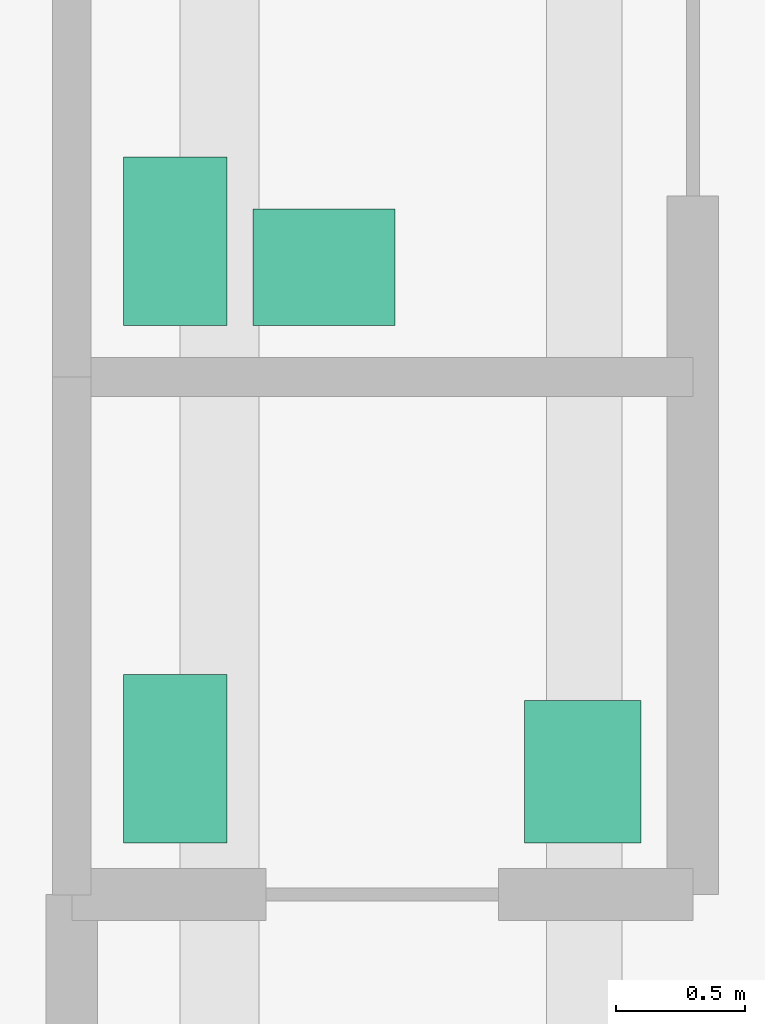
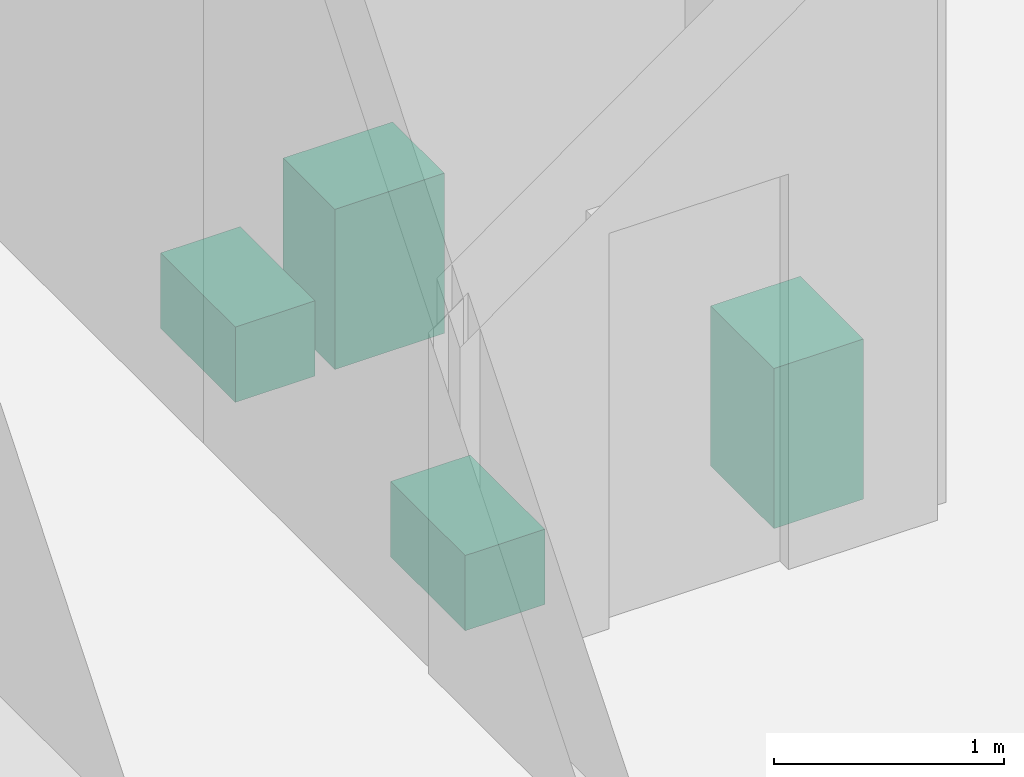
# One storey, part 10 of 10: 4 sanitary terminals.
"""IFC4 building model written with IfcOpenShell, lengths in metres."""

from ifc_helpers import new_model, si_unit, direction, frame, origin, origin_2d, place, context, subcontext, project, spatial, rectangle, extrude, material, type_object, element, save


model = new_model("IFC4")

# Units and contexts
model_context = context("Model", 3, precision=1e-05, world=origin(), true_north=direction((0.0, 1.0)))
body_context = subcontext(model_context, "Body", "Model", "MODEL_VIEW")
ifc_project = project(units=[si_unit("LENGTHUNIT", "METRE"), si_unit("AREAUNIT", "SQUARE_METRE"), si_unit("VOLUMEUNIT", "CUBIC_METRE"), si_unit("PLANEANGLEUNIT", "RADIAN"), si_unit("MASSUNIT", "GRAM", prefix="KILO")], contexts=[model_context])

# Site, building, storey
site_placement = place(None, origin())
site = spatial("IfcSite", under=ifc_project, at=site_placement, CompositionType="ELEMENT")
building_placement = place(site_placement, origin())
building = spatial("IfcBuilding", under=site, at=building_placement, Name="Mashrafa Tower", CompositionType="ELEMENT")
storey_placement = place(building_placement, frame((0.0, 0.0, 108.89990234375)))
storey = spatial("IfcBuildingStorey", under=building, at=storey_placement, Name="L24", CompositionType="ELEMENT", Elevation=108.89990234375)

# Sanitary terminals
ifc_material_1 = material(Name="Vitreous china")
sanitary_terminal_type_1 = type_object("IfcSanitaryTerminalType", Name="Toilet pan 400 x 650", PredefinedType="TOILETPAN", material=ifc_material_1)
for number, where, z_axis, x_axis, name in (
    (1, (13.449951171875, 3.125, 0.000244140625), (0.0, 0.0, 1.0), (1.0, 0.0, 0.0), "Toilet pan Refuge WC L24"),
    (2, (13.449951171875, 5.125, 0.000244140625), (0.0, 0.0, 1.0), (1.0, 0.0, 0.0), "Toilet pan Refuge Accessible WC L24"),
):
    element("IfcSanitaryTerminal", number, at=place(storey_placement, frame(where, z_axis=z_axis, x_axis=x_axis)), inside=storey, type_object=sanitary_terminal_type_1, Name=name, PredefinedType="TOILETPAN", context=body_context, shape_type="SweptSolid", body=[
        extrude(rectangle(XDim=0.39990234375, YDim=0.64990234375, at=origin_2d()), origin(), (0.0, 0.0, 1.0), 0.39990234375),
    ])
ifc_material_2 = material(Name="Vitreous china")
sanitary_terminal_type_2 = type_object("IfcSanitaryTerminalType", Name="Wash basin 550 x 450", PredefinedType="WASHHANDBASIN", material=ifc_material_2)
for number, where, z_axis, x_axis, name in (
    (3, (15.02490234375, 3.074951171875, 0.0), (0.0, 0.0, 1.0), (0.0, 1.0, 0.0), "Wash basin Refuge WC L24"),
    (4, (14.02490234375, 5.02490234375, 0.0), (0.0, 0.0, 1.0), (1.0, 0.0, 0.0), "Wash basin Refuge Accessible WC L24"),
):
    element("IfcSanitaryTerminal", number, at=place(storey_placement, frame(where, z_axis=z_axis, x_axis=x_axis)), inside=storey, type_object=sanitary_terminal_type_2, Name=name, PredefinedType="WASHHANDBASIN", context=body_context, shape_type="SweptSolid", body=[
        extrude(rectangle(XDim=0.550048828125, YDim=0.449951171875, at=origin_2d()), origin(), (0.0, 0.0, 1.0), 0.85009765625),
    ])

save(model, "model.ifc")
